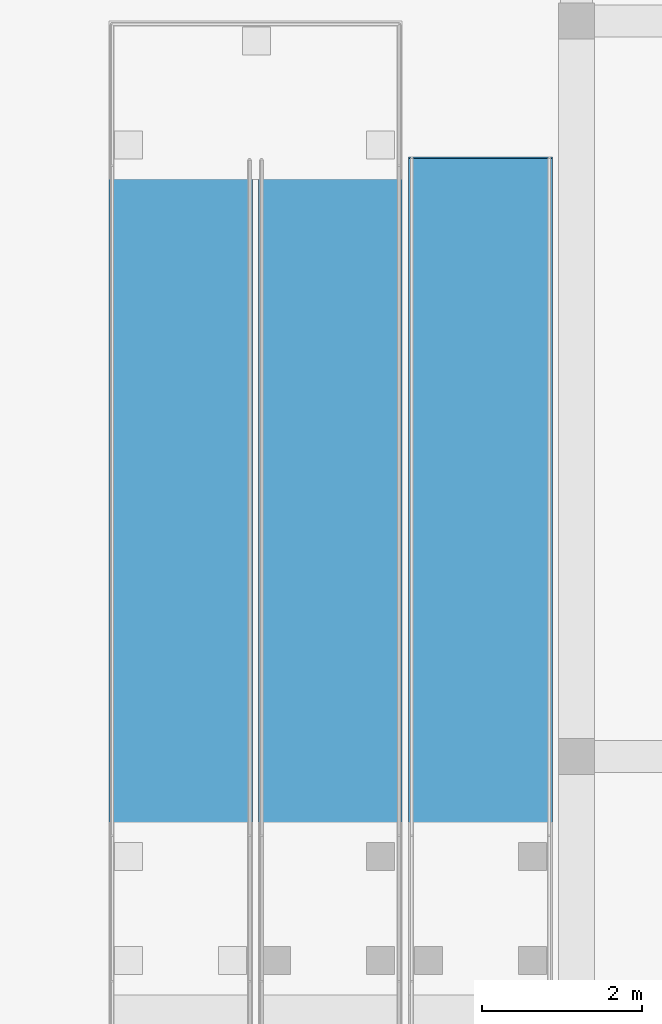
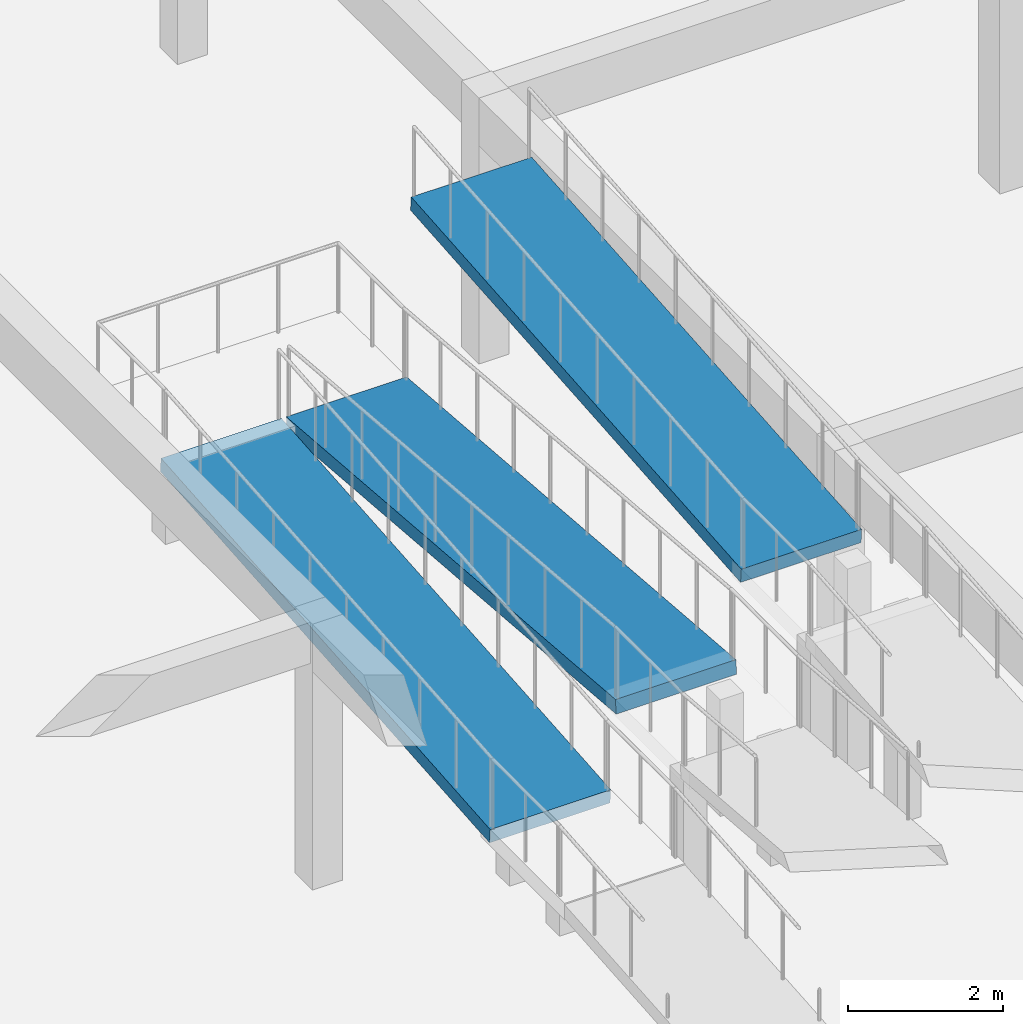
# One storey, part 64 of 75: 3 ramp flights, 1 element without a shape of its own.
"""IFC4 building model written with IfcOpenShell, lengths in metres."""

import ifcopenshell
import ifcopenshell.guid

model = None  # the IFC model being written
_history = None  # IfcOwnerHistory: only IFC2X3 demands one
_inside = {}  # id of a spatial element -> (the spatial element, [elements in it])
_under = {}  # id of a project, library or spatial element -> (it, [spatial elements below it])
_declared = {}  # id of a project -> (the project, [libraries it declares])
_typed = {}  # id of a type object -> (the type object, [elements of that type])
_made_of = {}  # id of a material, layer set ... -> (it, [elements and type objects made of it])


def new_model(schema):
    """Start an empty IFC model of exactly this schema.

    Asked for "IFC4X3", IfcOpenShell would pick the latest addendum, in which some entities
    have other attributes; the version numbers below select the first issue.
    IFC2X3 requires an IfcOwnerHistory on every rooted entity: one is made here for all.
    """
    global model, _history
    if schema == "IFC4X3":
        model = ifcopenshell.file(schema_version=(4, 3, 0, 0))
    else:
        model = ifcopenshell.file(schema=schema)
    _inside.clear()
    _under.clear()
    _declared.clear()
    _typed.clear()
    _made_of.clear()
    _history = None
    if model.schema == "IFC2X3":
        org = make("IfcOrganization", Name="unknown")
        user = make(
            "IfcPersonAndOrganization",
            ThePerson=make("IfcPerson", FamilyName="unknown"),
            TheOrganization=org,
        )
        app = make(
            "IfcApplication",
            ApplicationDeveloper=org,
            Version="unknown",
            ApplicationFullName="unknown",
            ApplicationIdentifier="unknown",
        )
        _history = make(
            "IfcOwnerHistory",
            OwningUser=user,
            OwningApplication=app,
            ChangeAction="ADDED",
            CreationDate=0,
        )
    return model


def make(cls, **values):
    """One entity of the class cls with the attributes given. An attribute that is None is left unset."""
    return model.create_entity(
        cls, **{name: value for name, value in values.items() if value is not None}
    )


def rooted(cls, **values):
    """An entity with a GlobalId (a new one), such as an element, a storey or a relation."""
    return make(cls, GlobalId=ifcopenshell.guid.new(), OwnerHistory=_history, **values)


def si_unit(unit_type, name, prefix=None):
    """IfcSIUnit, for example si_unit("LENGTHUNIT", "METRE", prefix="MILLI")."""
    return make("IfcSIUnit", UnitType=unit_type, Prefix=prefix, Name=name)


def assignment(units):
    """IfcUnitAssignment: the units of a project."""
    return None if units is None else make("IfcUnitAssignment", Units=units)


def point(xyz):
    """IfcCartesianPoint."""
    return None if xyz is None else make("IfcCartesianPoint", Coordinates=xyz)


def direction(xyz):
    """IfcDirection."""
    return None if xyz is None else make("IfcDirection", DirectionRatios=xyz)


def frame(location, z_axis=None, x_axis=None):
    """IfcAxis2Placement3D, a coordinate frame: its origin and axes. An axis left out is left unset."""
    return make(
        "IfcAxis2Placement3D",
        Location=point(location),
        Axis=direction(z_axis),
        RefDirection=direction(x_axis),
    )


def origin():
    """The frame at (0, 0, 0) with its axes left unset."""
    return frame((0.0, 0.0, 0.0))


def place(relative_to, where):
    """IfcLocalPlacement: puts the frame where relative to a parent placement (None: the world)."""
    return make(
        "IfcLocalPlacement", PlacementRelTo=relative_to, RelativePlacement=where
    )


def context(
    kind, dimensions, precision=None, world=None, true_north=None, identifier=None
):
    """IfcGeometricRepresentationContext, for example the 3D "Model" context."""
    return make(
        "IfcGeometricRepresentationContext",
        ContextIdentifier=identifier,
        ContextType=kind,
        CoordinateSpaceDimension=dimensions,
        Precision=precision,
        WorldCoordinateSystem=world,
        TrueNorth=true_north,
    )


def subcontext(parent, identifier, kind, view, scale=None):
    """IfcGeometricRepresentationSubContext, for example "Body" below "Model"."""
    return make(
        "IfcGeometricRepresentationSubContext",
        ContextIdentifier=identifier,
        ContextType=kind,
        ParentContext=parent,
        TargetScale=scale,
        TargetView=view,
    )


def project(units=None, contexts=None):
    """IfcProject with its units and contexts."""
    return rooted(
        "IfcProject",
        Name="project",
        RepresentationContexts=contexts,
        UnitsInContext=assignment(units),
    )


def spatial(cls, under=None, at=None, **own):
    """A site, building, storey or space (cls), placed at a placement, below another one or the project."""
    s = rooted(cls, ObjectPlacement=at, **own)
    if under is not None:
        _under.setdefault(under.id(), (under, []))[1].append(s)
    return s


def polyline(points):
    """IfcPolyline through the points."""
    return make("IfcPolyline", Points=[point(p) for p in points])


def outline(outer, holes=None, kind="AREA"):
    """IfcArbitraryClosedProfileDef: a profile drawn as a closed curve; with holes, ...WithVoids."""
    if holes is None:
        return make("IfcArbitraryClosedProfileDef", ProfileType=kind, OuterCurve=outer)
    return make(
        "IfcArbitraryProfileDefWithVoids",
        ProfileType=kind,
        OuterCurve=outer,
        InnerCurves=holes,
    )


def extrude(swept, where, along, depth):
    """IfcExtrudedAreaSolid: the profile swept, set in the frame where, extruded along a direction by depth."""
    return make(
        "IfcExtrudedAreaSolid",
        SweptArea=swept,
        Position=where,
        ExtrudedDirection=direction(along),
        Depth=depth,
    )


def shape(context_of_items, identifier, shape_type, items):
    """IfcShapeRepresentation: the items that make up one representation, for example the "Body"."""
    return make(
        "IfcShapeRepresentation",
        ContextOfItems=context_of_items,
        RepresentationIdentifier=identifier,
        RepresentationType=shape_type,
        Items=items,
    )


def material(Name=None, Category=None):
    """IfcMaterial."""
    return make("IfcMaterial", Name=Name, Category=Category)


def layer(
    of_material, thickness, ventilated=None, Name=None, Category=None, Priority=None
):
    """IfcMaterialLayer: one layer of a wall or slab, of a material (None: an air gap)."""
    return make(
        "IfcMaterialLayer",
        Material=of_material,
        LayerThickness=thickness,
        IsVentilated=ventilated,
        Name=Name,
        Category=Category,
        Priority=Priority,
    )


def layer_set(layers, Name=None):
    """IfcMaterialLayerSet."""
    return make("IfcMaterialLayerSet", MaterialLayers=layers, LayerSetName=Name)


def made_of(thing, what):
    """Note that an element or type object is made of a material, layer set ...; save() writes the relation."""
    if what is not None:
        _made_of.setdefault(what.id(), (what, []))[1].append(thing)
    return thing


def type_object(cls, material=None, **own):
    """A type object (cls), such as IfcWallType, which elements share."""
    return made_of(rooted(cls, **own), material)


def element(
    cls,
    number,
    at=None,
    inside=None,
    cuts=None,
    type_object=None,
    material=None,
    context=None,
    identifier="Body",
    shape_type=None,
    held_by="IfcProductDefinitionShape",
    body=None,
    shapes=None,
    **own,
):
    """One element of the class cls, such as IfcWall. Its Tag is "e" and its number.

    at: its placement. inside: the storey or other place that contains it. cuts: it is an
    opening in that element (IfcRelVoidsElement). A single representation is given by context,
    identifier, shape_type and body (its items); several are given by shapes. held_by: the class
    of the entity that holds the representations. save() writes the other relations.
    """
    e = rooted(cls, Tag="e%d" % number, ObjectPlacement=at, **own)
    if body is not None:
        shapes = [shape(context, identifier, shape_type, body)]
    if shapes is not None:
        e.Representation = make(held_by, Representations=shapes)
    if inside is not None:
        _inside.setdefault(inside.id(), (inside, []))[1].append(e)
    if cuts is not None:
        rooted(
            "IfcRelVoidsElement", RelatingBuildingElement=cuts, RelatedOpeningElement=e
        )
    if type_object is not None:
        _typed.setdefault(type_object.id(), (type_object, []))[1].append(e)
    return made_of(e, material)


def aggregate(whole, parts):
    """IfcRelAggregates: a whole, such as a stair, and the parts it consists of."""
    return rooted("IfcRelAggregates", RelatingObject=whole, RelatedObjects=parts)


def save(model, path):
    """Write the relations noted so far, then the file.

    IfcRelAggregates (storeys below a building ...), IfcRelContainedInSpatialStructure (elements
    in a storey), IfcRelDefinesByType, IfcRelAssociatesMaterial and IfcRelDeclares: one each for
    every whole, place, type object, material and project.
    """
    for whole, parts in _under.values():
        aggregate(whole, parts)
    for where, things in _inside.values():
        rooted(
            "IfcRelContainedInSpatialStructure",
            RelatedElements=things,
            RelatingStructure=where,
        )
    for kind, things in _typed.values():
        rooted("IfcRelDefinesByType", RelatedObjects=things, RelatingType=kind)
    for what, things in _made_of.values():
        rooted("IfcRelAssociatesMaterial", RelatedObjects=things, RelatingMaterial=what)
    for by, libraries in _declared.values():
        rooted("IfcRelDeclares", RelatingContext=by, RelatedDefinitions=libraries)
    model.write(path)


model = new_model("IFC4")

# Units and contexts
model_context = context("Model", 3, precision=1e-05, world=origin(), true_north=direction((0.0, 1.0)))
body_context = subcontext(model_context, "Body", "Model", "MODEL_VIEW")
ifc_project = project(units=[si_unit("LENGTHUNIT", "METRE"), si_unit("AREAUNIT", "SQUARE_METRE"), si_unit("VOLUMEUNIT", "CUBIC_METRE"), si_unit("PLANEANGLEUNIT", "RADIAN"), si_unit("MASSUNIT", "GRAM", prefix="KILO")], contexts=[model_context])

# Site, building, storey
site_placement = place(None, origin())
site = spatial("IfcSite", under=ifc_project, at=site_placement, CompositionType="ELEMENT")
building_placement = place(site_placement, origin())
building = spatial("IfcBuilding", under=site, at=building_placement, Name="Kernevlak Ridge Housing Community", CompositionType="ELEMENT")
storey_placement = place(building_placement, origin())
storey = spatial("IfcBuildingStorey", under=building, at=storey_placement, Name="L00", CompositionType="ELEMENT", Elevation=0.0)

# Ramp, ramp flights
ifc_material = material(Name="Concrete C35/45", Category="concrete")
ramp_type = type_object("IfcRampType", Name="RM-01", PredefinedType="HALF_TURN_RAMP", material=ifc_material)
ramp_placement = place(storey_placement, origin())
ramp = element("IfcRamp", 1, at=ramp_placement, inside=storey, type_object=ramp_type, Name="Step-free civic plaza accessible ramp RM-01", PredefinedType="HALF_TURN_RAMP")
ifc_layer = layer(ifc_material, 0.219970703125, Name="Concrete C35/45")
ifc_layer_set = layer_set([ifc_layer], Name="Concrete C35/45")
ramp_flight_type = type_object("IfcRampFlightType", Name="RF-01", PredefinedType="STRAIGHT", material=ifc_layer_set)
ramp_flight_1_placement = place(storey_placement, frame((50.550048828125, 57.93994140625, 0.699951171875), z_axis=(0.0, -0.081877863413, 0.996642370905), x_axis=(1.0, 0.0, 0.0)))
ramp_flight_1 = element("IfcRampFlight", 2, at=ramp_flight_1_placement, type_object=ramp_flight_type, Name="Accessible ramp flight 2", PredefinedType="STRAIGHT", context=body_context, shape_type="SweptSolid", body=[
    extrude(outline(polyline([(0.0, 0.0), (1.800048828125, 0.0), (1.800048828125, 8.548722972227528), (0.0, 8.548722972227528), (0.0, 0.0)])), origin(), (0.0, 0.0, -1.0), 0.219970703125),
])
ramp_flight_2_placement = place(storey_placement, frame((52.419921875, 57.93994140625, 2.10009765625), z_axis=(0.0, 0.081906230581, 0.996640040031), x_axis=(1.0, 0.0, 0.0)))
ramp_flight_2 = element("IfcRampFlight", 3, at=ramp_flight_2_placement, type_object=ramp_flight_type, Name="Accessible ramp flight 3", PredefinedType="STRAIGHT", context=body_context, shape_type="SweptSolid", body=[
    extrude(outline(polyline([(0.0, 0.0), (1.800048828125, 0.0), (1.800048828125, 8.548742965403068), (0.0, 8.548742965403068), (0.0, 0.0)])), origin(), (0.0, 0.0, -1.0), 0.219970703125),
])
ramp_flight_3_placement = place(storey_placement, frame((54.300048828125, 57.93994140625, 3.5), z_axis=(0.0, -0.081687207854, 0.996658015607), x_axis=(1.0, 0.0, 0.0)))
ramp_flight_3 = element("IfcRampFlight", 4, at=ramp_flight_3_placement, type_object=ramp_flight_type, Name="Accessible ramp flight 6", PredefinedType="STRAIGHT", context=body_context, shape_type="SweptSolid", body=[
    extrude(outline(polyline([(0.0, 0.0), (1.800048828125, 0.0), (1.800048828125, 8.568675442099266), (0.0, 8.568675442099266), (0.0, 0.0)])), origin(), (0.0, 0.0, -1.0), 0.219970703125),
])
aggregate(ramp, [ramp_flight_1, ramp_flight_2, ramp_flight_3])

save(model, "model.ifc")
